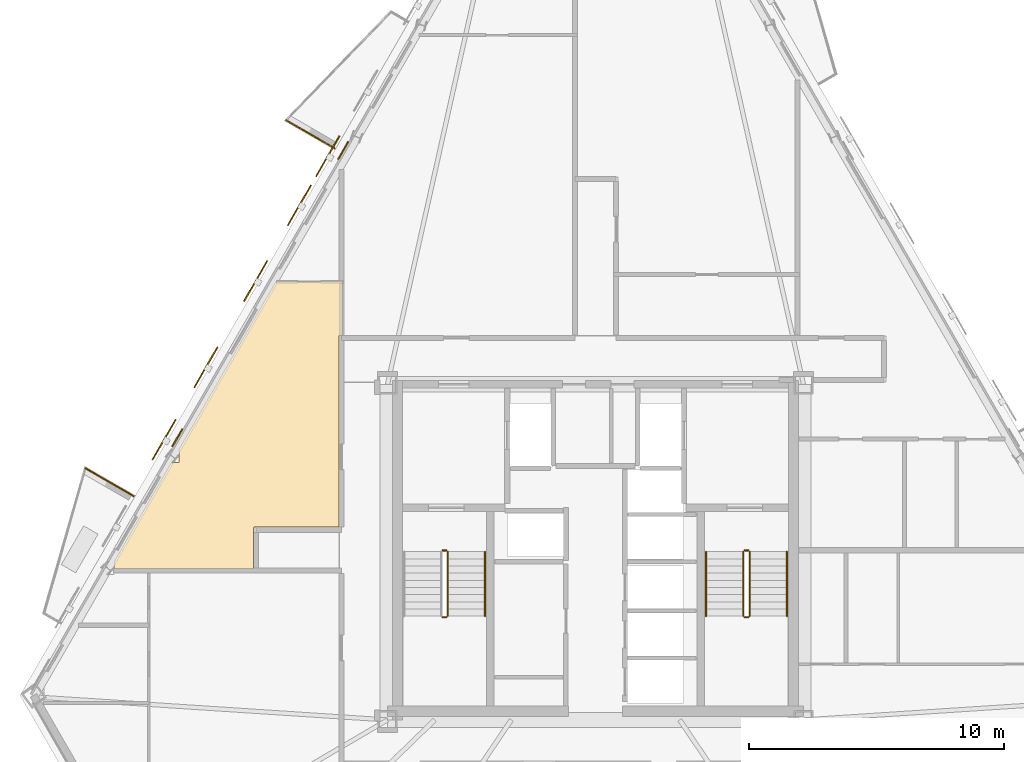
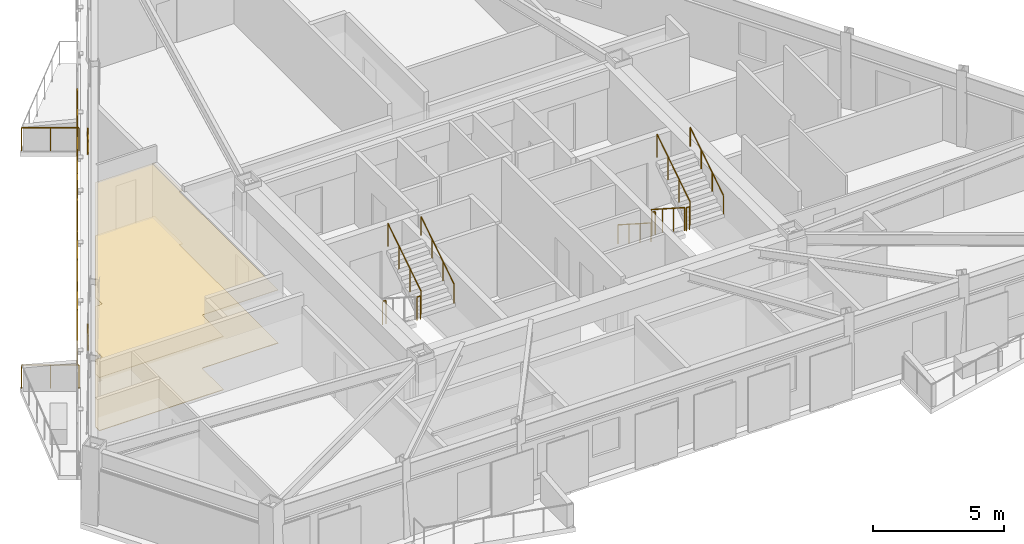
# One storey, part 8 of 9: 12 railings, 5 shading devices, 4 coverings.
"""IFC4 building model written with IfcOpenShell, lengths in metres."""

from ifc_helpers import new_model, si_unit, direction, frame, origin, origin_2d, place, context, subcontext, project, spatial, polyline, rectangle, circle, outline, extrude, material, layer, layer_set, type_object, element, save


model = new_model("IFC4")

# Units and contexts
model_context = context("Model", 3, precision=1e-05, world=origin(), true_north=direction((0.0, 1.0)))
body_context = subcontext(model_context, "Body", "Model", "MODEL_VIEW")
ifc_project = project(units=[si_unit("LENGTHUNIT", "METRE"), si_unit("AREAUNIT", "SQUARE_METRE"), si_unit("VOLUMEUNIT", "CUBIC_METRE"), si_unit("PLANEANGLEUNIT", "RADIAN"), si_unit("MASSUNIT", "GRAM", prefix="KILO")], contexts=[model_context])

# Site, building, storey
site_placement = place(None, origin())
site = spatial("IfcSite", under=ifc_project, at=site_placement, CompositionType="ELEMENT")
building_placement = place(site_placement, origin())
building = spatial("IfcBuilding", under=site, at=building_placement, Name="Oramaril Tower", CompositionType="ELEMENT")
storey_placement = place(building_placement, frame((0.0, 0.0, 185.39990234375)))
storey = spatial("IfcBuildingStorey", under=building, at=storey_placement, Name="L49", CompositionType="ELEMENT", Elevation=185.39990234375)

# Coverings
ifc_material_1 = material(Name="Mineral Fibre Acoustic Ceiling")
ifc_layer_1 = layer(ifc_material_1, 0.02001953125)
ifc_layer_set_1 = layer_set([ifc_layer_1], Name="CVT-CEIL")
covering_type_1 = type_object("IfcCoveringType", Name="CVT-CEIL", PredefinedType="CEILING", material=ifc_layer_set_1)
covering_1_placement = place(storey_placement, frame((0.0, 0.0, 2.47216796875)))
element("IfcCovering", 1, at=covering_1_placement, inside=storey, type_object=covering_type_1, Name="L49 Acoustic Suspended Ceiling 16", PredefinedType="CEILING", context=body_context, shape_type="SweptSolid", body=[
    extrude(outline(polyline([(18.64111328125, 17.185302734375), (18.621826171875, 17.185302734375), (20.8701171875, 21.0791015625), (21.17333984375, 21.0791015625), (21.17333984375, 21.56396484375), (21.14990234375, 21.56396484375), (24.985107421875, 28.206787109375), (27.592041015625, 28.206787109375), (27.592041015625, 26.070068359375), (27.469970703125, 26.070068359375), (27.468017578125, 26.06982421875), (27.466064453125, 26.069580078125), (27.464111328125, 26.069091796875), (27.46240234375, 26.068603515625), (27.460693359375, 26.067626953125), (27.458984375, 26.066650390625), (27.457275390625, 26.0654296875), (27.455810546875, 26.064208984375), (27.45458984375, 26.062744140625), (27.453369140625, 26.06103515625), (27.452392578125, 26.059326171875), (27.451416015625, 26.0576171875), (27.450927734375, 26.055908203125), (27.450439453125, 26.053955078125), (27.4501953125, 26.052001953125), (27.449951171875, 26.050048828125), (27.449951171875, 24.239990234375), (27.4501953125, 24.238037109375), (27.450439453125, 24.236083984375), (27.450927734375, 24.234130859375), (27.451416015625, 24.232421875), (27.452392578125, 24.230712890625), (27.45263671875, 24.22998046875), (27.452392578125, 24.2294921875), (27.451416015625, 24.227783203125), (27.450927734375, 24.225830078125), (27.450439453125, 24.223876953125), (27.4501953125, 24.221923828125), (27.449951171875, 24.219970703125), (27.449951171875, 18.550048828125), (24.1201171875, 18.550048828125), (24.117919921875, 18.5498046875), (24.1162109375, 18.549560546875), (24.1142578125, 18.549072265625), (24.1123046875, 18.548583984375), (24.110595703125, 18.547607421875), (24.10888671875, 18.546630859375), (24.107421875, 18.54541015625), (24.10595703125, 18.544189453125), (24.1044921875, 18.542724609375), (24.103515625, 18.541015625), (24.102294921875, 18.539306640625), (24.1015625, 18.53759765625), (24.100830078125, 18.535888671875), (24.100341796875, 18.533935546875), (24.10009765625, 18.531982421875), (24.10009765625, 18.530029296875), (24.10009765625, 16.912109375), (19.96240234375, 16.912109375), (19.96044921875, 16.911865234375), (19.95849609375, 16.91162109375), (19.956787109375, 16.9111328125), (19.954833984375, 16.910400390625), (19.953125, 16.90966796875), (19.952392578125, 16.9091796875), (19.951904296875, 16.90966796875), (19.9501953125, 16.910400390625), (19.9482421875, 16.9111328125), (19.9462890625, 16.91162109375), (19.944580078125, 16.911865234375), (19.9423828125, 16.912109375), (18.64111328125, 16.912109375), (18.64111328125, 17.185302734375)])), origin(), (0.0, 0.0, 1.0), 0.02001953125),
])
ifc_material_2 = material(Name="Warm Cream Limestone", Category="masonry")
ifc_layer_2 = layer(ifc_material_2, 0.050048828125)
ifc_layer_set_2 = layer_set([ifc_layer_2], Name="CVT-CLD")
covering_type_2 = type_object("IfcCoveringType", Name="CVT-CLD", PredefinedType="CLADDING", material=ifc_layer_set_2)
for number, where, z_axis, x_axis, name in (
    (2, (27.61474609375, 33.3134765625, 0.0400390625), (0.0, 0.0, 1.0), (-0.5, -0.866025403784, 0.0), "L49 Warm Cream Limestone Spandrel Cladding"),
    (3, (21.1142578125, 22.053955078125, 0.0400390625), (0.0, 0.0, 1.0), (-0.5, -0.866025403784, 0.0), "L49 Warm Cream Limestone Spandrel Cladding"),
):
    element("IfcCovering", number, at=place(storey_placement, frame(where, z_axis=z_axis, x_axis=x_axis)), inside=storey, type_object=covering_type_2, Name=name, PredefinedType="CLADDING", context=body_context, shape_type="SweptSolid", body=[
        extrude(rectangle(XDim=0.800048828125, YDim=0.050048828125, at=origin_2d()), origin(), (0.0, 0.0, 1.0), 0.679931640625),
    ])
ifc_material_3 = material(Name="Honed Quartzite Stone Flooring", Category="masonry")
ifc_layer_3 = layer(ifc_material_3, 0.02490234375)
ifc_layer_set_3 = layer_set([ifc_layer_3], Name="CVT-FLR")
covering_type_3 = type_object("IfcCoveringType", Name="CVT-FLR", PredefinedType="FLOORING", material=ifc_layer_set_3)
covering_2_placement = place(storey_placement, origin())
element("IfcCovering", 4, at=covering_2_placement, inside=storey, type_object=covering_type_3, Name="L49 Honed Stone Floor Finish 16", PredefinedType="FLOORING", context=body_context, shape_type="SweptSolid", body=[
    extrude(outline(polyline([(18.64111328125, 17.185302734375), (18.621826171875, 17.185302734375), (20.8701171875, 21.0791015625), (21.17333984375, 21.0791015625), (21.17333984375, 21.56396484375), (21.14990234375, 21.56396484375), (24.985107421875, 28.206787109375), (27.592041015625, 28.206787109375), (27.592041015625, 26.070068359375), (27.469970703125, 26.070068359375), (27.468017578125, 26.06982421875), (27.466064453125, 26.069580078125), (27.464111328125, 26.069091796875), (27.46240234375, 26.068603515625), (27.460693359375, 26.067626953125), (27.458984375, 26.066650390625), (27.457275390625, 26.0654296875), (27.455810546875, 26.064208984375), (27.45458984375, 26.062744140625), (27.453369140625, 26.06103515625), (27.452392578125, 26.059326171875), (27.451416015625, 26.0576171875), (27.450927734375, 26.055908203125), (27.450439453125, 26.053955078125), (27.4501953125, 26.052001953125), (27.449951171875, 26.050048828125), (27.449951171875, 24.239990234375), (27.4501953125, 24.238037109375), (27.450439453125, 24.236083984375), (27.450927734375, 24.234130859375), (27.451416015625, 24.232421875), (27.452392578125, 24.230712890625), (27.45263671875, 24.22998046875), (27.452392578125, 24.2294921875), (27.451416015625, 24.227783203125), (27.450927734375, 24.225830078125), (27.450439453125, 24.223876953125), (27.4501953125, 24.221923828125), (27.449951171875, 24.219970703125), (27.449951171875, 18.550048828125), (24.1201171875, 18.550048828125), (24.117919921875, 18.5498046875), (24.1162109375, 18.549560546875), (24.1142578125, 18.549072265625), (24.1123046875, 18.548583984375), (24.110595703125, 18.547607421875), (24.10888671875, 18.546630859375), (24.107421875, 18.54541015625), (24.10595703125, 18.544189453125), (24.1044921875, 18.542724609375), (24.103515625, 18.541015625), (24.102294921875, 18.539306640625), (24.1015625, 18.53759765625), (24.100830078125, 18.535888671875), (24.100341796875, 18.533935546875), (24.10009765625, 18.531982421875), (24.10009765625, 18.530029296875), (24.10009765625, 16.912109375), (19.96240234375, 16.912109375), (19.96044921875, 16.911865234375), (19.95849609375, 16.91162109375), (19.956787109375, 16.9111328125), (19.954833984375, 16.910400390625), (19.953125, 16.90966796875), (19.952392578125, 16.9091796875), (19.951904296875, 16.90966796875), (19.9501953125, 16.910400390625), (19.9482421875, 16.9111328125), (19.9462890625, 16.91162109375), (19.944580078125, 16.911865234375), (19.9423828125, 16.912109375), (18.64111328125, 16.912109375), (18.64111328125, 17.185302734375)])), origin(), (0.0, 0.0, 1.0), 0.025146484375),
])

# Railings
ifc_material_4 = material(Name="Stainless Steel 316L", Category="steel")
railing_type_1 = type_object("IfcRailingType", Name="RLT-GRD", PredefinedType="GUARDRAIL", material=ifc_material_4)
railing_1_placement = place(storey_placement, frame((27.27392578125, 33.4033203125, 0.0)))
element("IfcRailing", 5, at=railing_1_placement, inside=storey, type_object=railing_type_1, Name="L49 Balcony Guardrail L49-BAL-NW1.1", PredefinedType="GUARDRAIL", context=body_context, shape_type="SweptSolid", body=[
    extrude(circle(Radius=0.02392578125, at=origin_2d()), frame((0.0, 0.0, 1.076171875), z_axis=(-0.866020500697, 0.5000084923, 0.0), x_axis=(-0.5000084923, -0.866020500697, 0.0)), (0.0, 0.0, 1.0), 2.19189453125),
    extrude(circle(Radius=0.02099609375, at=origin_2d()), origin(), (0.0, 0.0, 1.0), 1.052001953125),
    extrude(circle(Radius=0.02099609375, at=origin_2d()), frame((-0.94921875, 0.5478515625, 0.0)), (0.0, 0.0, 1.0), 1.052001953125),
    extrude(circle(Radius=0.02099609375, at=origin_2d()), frame((-1.898193359375, 1.095947265625, 0.0)), (0.0, 0.0, 1.0), 1.052001953125),
])
railing_2_placement = place(storey_placement, frame((17.505126953125, 20.8671875, 0.0)))
element("IfcRailing", 6, at=railing_2_placement, inside=storey, type_object=railing_type_1, Name="L49 Balcony Guardrail L49-BAL-NW2.3", PredefinedType="GUARDRAIL", context=body_context, shape_type="SweptSolid", body=[
    extrude(circle(Radius=0.02392578125, at=origin_2d()), frame((0.0, 0.0, 1.076171875), z_axis=(0.866000118559, -0.500043792738, 0.0), x_axis=(0.500043792738, 0.866000118559, 0.0)), (0.0, 0.0, 1.0), 2.192138671875),
    extrude(circle(Radius=0.02099609375, at=origin_2d()), origin(), (0.0, 0.0, 1.0), 1.052001953125),
    extrude(circle(Radius=0.02099609375, at=origin_2d()), frame((0.94921875, -0.548095703125, 0.0)), (0.0, 0.0, 1.0), 1.052001953125),
    extrude(circle(Radius=0.02099609375, at=origin_2d()), frame((1.8984375, -1.09619140625, 0.0)), (0.0, 0.0, 1.0), 1.052001953125),
])
railing_3_placement = place(storey_placement, frame((31.510009765625, 15.02001953125, 1.800048828125)))
element("IfcRailing", 7, at=railing_3_placement, inside=storey, type_object=railing_type_1, Name="L49 ST-1 stair guard 2", PredefinedType="GUARDRAIL", context=body_context, shape_type="SweptSolid", body=[
    extrude(circle(Radius=0.02392578125, at=origin_2d()), frame((0.0, 0.0, 1.076171875), z_axis=(1.0, 0.0, 0.0), x_axis=(0.0, 1.0, 0.0)), (0.0, 0.0, 1.0), 0.14990234375),
    extrude(circle(Radius=0.02099609375, at=origin_2d()), origin(), (0.0, 0.0, 1.0), 1.052001953125),
    extrude(circle(Radius=0.02099609375, at=origin_2d()), frame((0.14990234375, 0.0, 0.0)), (0.0, 0.0, 1.0), 1.052001953125),
])
railing_4_placement = place(storey_placement, frame((31.7099609375, 15.070068359375, 1.97998046875)))
element("IfcRailing", 8, at=railing_4_placement, inside=storey, type_object=railing_type_1, Name="L49 ST-1 stair guard 3", PredefinedType="GUARDRAIL", context=body_context, shape_type="SweptSolid", body=[
    extrude(circle(Radius=0.02392578125, at=origin_2d()), frame((0.0, 0.0, 1.076171875), z_axis=(0.0, 0.841162588446, 0.540782303519), x_axis=(-1.0, 0.0, 0.0)), (0.0, 0.0, 1.0), 2.995849609375),
    extrude(circle(Radius=0.02099609375, at=origin_2d()), origin(), (0.0, 0.0, 1.0), 1.052001953125),
    extrude(circle(Radius=0.02099609375, at=origin_2d()), frame((0.0, 0.840087890625, 0.5400390625)), (0.0, 0.0, 1.0), 1.052001953125),
    extrude(circle(Radius=0.02099609375, at=origin_2d()), frame((0.0, 1.679931640625, 1.080078125)), (0.0, 0.0, 1.0), 1.052001953125),
    extrude(circle(Radius=0.02099609375, at=origin_2d()), frame((0.0, 2.52001953125, 1.6201171875)), (0.0, 0.0, 1.0), 1.052001953125),
])
railing_5_placement = place(storey_placement, frame((31.510009765625, 17.639892578125, 0.0)))
element("IfcRailing", 9, at=railing_5_placement, inside=storey, type_object=railing_type_1, Name="L49 ST-1 stair guard 4", PredefinedType="GUARDRAIL", context=body_context, shape_type="SweptSolid", body=[
    extrude(circle(Radius=0.02392578125, at=origin_2d()), frame((0.0, 0.0, 1.076171875), z_axis=(1.0, 0.0, 0.0), x_axis=(0.0, 1.0, 0.0)), (0.0, 0.0, 1.0), 0.14990234375),
    extrude(circle(Radius=0.02099609375, at=origin_2d()), origin(), (0.0, 0.0, 1.0), 1.052001953125),
    extrude(circle(Radius=0.02099609375, at=origin_2d()), frame((0.14990234375, 0.0, 0.0)), (0.0, 0.0, 1.0), 1.052001953125),
])
railing_6_placement = place(storey_placement, frame((43.2900390625, 17.590087890625, 0.18017578125)))
element("IfcRailing", 10, at=railing_6_placement, inside=storey, type_object=railing_type_1, Name="L49 ST-2 stair guard 1", PredefinedType="GUARDRAIL", context=body_context, shape_type="SweptSolid", body=[
    extrude(circle(Radius=0.02392578125, at=origin_2d()), frame((0.0, 0.0, 1.076171875), z_axis=(0.0, -0.841199657755, 0.540724639528), x_axis=(1.0, 0.0, 0.0)), (0.0, 0.0, 1.0), 2.995849609375),
    extrude(circle(Radius=0.02099609375, at=origin_2d()), origin(), (0.0, 0.0, 1.0), 1.052001953125),
    extrude(circle(Radius=0.02099609375, at=origin_2d()), frame((0.0, -0.840087890625, 0.5400390625)), (0.0, 0.0, 1.0), 1.052001953125),
    extrude(circle(Radius=0.02099609375, at=origin_2d()), frame((0.0, -1.679931640625, 1.079833984375)), (0.0, 0.0, 1.0), 1.052001953125),
    extrude(circle(Radius=0.02099609375, at=origin_2d()), frame((0.0, -2.52001953125, 1.619873046875)), (0.0, 0.0, 1.0), 1.052001953125),
])
railing_7_placement = place(storey_placement, frame((43.340087890625, 15.02001953125, 1.800048828125)))
element("IfcRailing", 11, at=railing_7_placement, inside=storey, type_object=railing_type_1, Name="L49 ST-2 stair guard 2", PredefinedType="GUARDRAIL", context=body_context, shape_type="SweptSolid", body=[
    extrude(circle(Radius=0.02392578125, at=origin_2d()), frame((0.0, 0.0, 1.076171875), z_axis=(1.0, 0.0, 0.0), x_axis=(0.0, 1.0, 0.0)), (0.0, 0.0, 1.0), 0.14990234375),
    extrude(circle(Radius=0.02099609375, at=origin_2d()), origin(), (0.0, 0.0, 1.0), 1.052001953125),
    extrude(circle(Radius=0.02099609375, at=origin_2d()), frame((0.14990234375, 0.0, 0.0)), (0.0, 0.0, 1.0), 1.052001953125),
])
railing_8_placement = place(storey_placement, frame((43.5400390625, 15.070068359375, 1.97998046875)))
element("IfcRailing", 12, at=railing_8_placement, inside=storey, type_object=railing_type_1, Name="L49 ST-2 stair guard 3", PredefinedType="GUARDRAIL", context=body_context, shape_type="SweptSolid", body=[
    extrude(circle(Radius=0.02392578125, at=origin_2d()), frame((0.0, 0.0, 1.076171875), z_axis=(0.0, 0.841162588446, 0.540782303519), x_axis=(-1.0, 0.0, 0.0)), (0.0, 0.0, 1.0), 2.995849609375),
    extrude(circle(Radius=0.02099609375, at=origin_2d()), origin(), (0.0, 0.0, 1.0), 1.052001953125),
    extrude(circle(Radius=0.02099609375, at=origin_2d()), frame((0.0, 0.840087890625, 0.5400390625)), (0.0, 0.0, 1.0), 1.052001953125),
    extrude(circle(Radius=0.02099609375, at=origin_2d()), frame((0.0, 1.679931640625, 1.080078125)), (0.0, 0.0, 1.0), 1.052001953125),
    extrude(circle(Radius=0.02099609375, at=origin_2d()), frame((0.0, 2.52001953125, 1.6201171875)), (0.0, 0.0, 1.0), 1.052001953125),
])
railing_9_placement = place(storey_placement, frame((43.340087890625, 17.639892578125, 0.0)))
element("IfcRailing", 13, at=railing_9_placement, inside=storey, type_object=railing_type_1, Name="L49 ST-2 stair guard 4", PredefinedType="GUARDRAIL", context=body_context, shape_type="SweptSolid", body=[
    extrude(circle(Radius=0.02392578125, at=origin_2d()), frame((0.0, 0.0, 1.076171875), z_axis=(1.0, 0.0, 0.0), x_axis=(0.0, 1.0, 0.0)), (0.0, 0.0, 1.0), 0.14990234375),
    extrude(circle(Radius=0.02099609375, at=origin_2d()), origin(), (0.0, 0.0, 1.0), 1.052001953125),
    extrude(circle(Radius=0.02099609375, at=origin_2d()), frame((0.14990234375, 0.0, 0.0)), (0.0, 0.0, 1.0), 1.052001953125),
])
ifc_material_5 = material(Name="Stainless Steel 316L", Category="steel")
railing_type_2 = type_object("IfcRailingType", Name="RLT-HND", PredefinedType="HANDRAIL", material=ifc_material_5)
railing_10_placement = place(storey_placement, frame((33.169921875, 15.070068359375, 1.97998046875)))
element("IfcRailing", 14, at=railing_10_placement, inside=storey, type_object=railing_type_2, Name="L49 ST-1 stair handrail 2", PredefinedType="HANDRAIL", context=body_context, shape_type="SweptSolid", body=[
    extrude(circle(Radius=0.02392578125, at=origin_2d()), frame((0.0, 0.0, 0.8759765625), z_axis=(0.0, 0.841162588446, 0.540782303519), x_axis=(-1.0, 0.0, 0.0)), (0.0, 0.0, 1.0), 2.995849609375),
    extrude(circle(Radius=0.02099609375, at=origin_2d()), origin(), (0.0, 0.0, 1.0), 0.851806640625),
    extrude(circle(Radius=0.02099609375, at=origin_2d()), frame((0.0, 0.840087890625, 0.5400390625)), (0.0, 0.0, 1.0), 0.851806640625),
    extrude(circle(Radius=0.02099609375, at=origin_2d()), frame((0.0, 1.679931640625, 1.080078125)), (0.0, 0.0, 1.0), 0.851806640625),
    extrude(circle(Radius=0.02099609375, at=origin_2d()), frame((0.0, 2.52001953125, 1.6201171875)), (0.0, 0.0, 1.0), 0.851806640625),
])
railing_11_placement = place(storey_placement, frame((41.830078125, 17.590087890625, 0.18017578125)))
element("IfcRailing", 15, at=railing_11_placement, inside=storey, type_object=railing_type_2, Name="L49 ST-2 stair handrail 1", PredefinedType="HANDRAIL", context=body_context, shape_type="SweptSolid", body=[
    extrude(circle(Radius=0.02392578125, at=origin_2d()), frame((0.0, 0.0, 0.8759765625), z_axis=(0.0, -0.841199657755, 0.540724639528), x_axis=(1.0, 0.0, 0.0)), (0.0, 0.0, 1.0), 2.995849609375),
    extrude(circle(Radius=0.02099609375, at=origin_2d()), origin(), (0.0, 0.0, 1.0), 0.851806640625),
    extrude(circle(Radius=0.02099609375, at=origin_2d()), frame((0.0, -0.840087890625, 0.5400390625)), (0.0, 0.0, 1.0), 0.851806640625),
    extrude(circle(Radius=0.02099609375, at=origin_2d()), frame((0.0, -1.679931640625, 1.079833984375)), (0.0, 0.0, 1.0), 0.851806640625),
    extrude(circle(Radius=0.02099609375, at=origin_2d()), frame((0.0, -2.52001953125, 1.619873046875)), (0.0, 0.0, 1.0), 0.851806640625),
])
railing_12_placement = place(storey_placement, frame((45.0, 15.070068359375, 1.97998046875)))
element("IfcRailing", 16, at=railing_12_placement, inside=storey, type_object=railing_type_2, Name="L49 ST-2 stair handrail 2", PredefinedType="HANDRAIL", context=body_context, shape_type="SweptSolid", body=[
    extrude(circle(Radius=0.02392578125, at=origin_2d()), frame((0.0, 0.0, 0.8759765625), z_axis=(0.0, 0.841162588446, 0.540782303519), x_axis=(-1.0, 0.0, 0.0)), (0.0, 0.0, 1.0), 2.995849609375),
    extrude(circle(Radius=0.02099609375, at=origin_2d()), origin(), (0.0, 0.0, 1.0), 0.851806640625),
    extrude(circle(Radius=0.02099609375, at=origin_2d()), frame((0.0, 0.840087890625, 0.5400390625)), (0.0, 0.0, 1.0), 0.851806640625),
    extrude(circle(Radius=0.02099609375, at=origin_2d()), frame((0.0, 1.679931640625, 1.080078125)), (0.0, 0.0, 1.0), 0.851806640625),
    extrude(circle(Radius=0.02099609375, at=origin_2d()), frame((0.0, 2.52001953125, 1.6201171875)), (0.0, 0.0, 1.0), 0.851806640625),
])

# Shading devices
for number, where, z_axis, x_axis, name in (
    (17, (24.187255859375, 28.20068359375, -0.02001953125), (0.0, 0.0, 1.0), (-0.5, -0.866025403784, 0.0), "L49 Perforated Ceramic Solar Screen"),
    (18, (22.2373046875, 24.822998046875, -0.02001953125), (0.0, 0.0, 1.0), (-0.5, -0.866025403784, 0.0), "L49 Perforated Ceramic Solar Screen"),
    (19, (20.593994140625, 21.977294921875, -0.02001953125), (0.0, 0.0, 1.0), (-0.5, -0.866025403784, 0.0), "L49 Perforated Ceramic Solar Screen"),
    (20, (25.900390625, 31.168212890625, -0.02001953125), (0.0, 0.0, 1.0), (-0.5, -0.866025403784, 0.0), "L49 Perforated Ceramic Solar Screen"),
    (21, (27.009521484375, 33.089111328125, -0.02001953125), (0.0, 0.0, 1.0), (-0.5, -0.866025403784, 0.0), "L49 Perforated Ceramic Solar Screen"),
):
    element("IfcShadingDevice", number, at=place(storey_placement, frame(where, z_axis=z_axis, x_axis=x_axis)), inside=storey, Name=name, ObjectType="SCREEN", PredefinedType="USERDEFINED", context=body_context, shape_type="SweptSolid", body=[
        extrude(rectangle(XDim=1.8330078125, YDim=0.050048828125, at=origin_2d()), origin(), (0.0, 0.0, 1.0), 2.56005859375),
    ])

save(model, "model.ifc")
